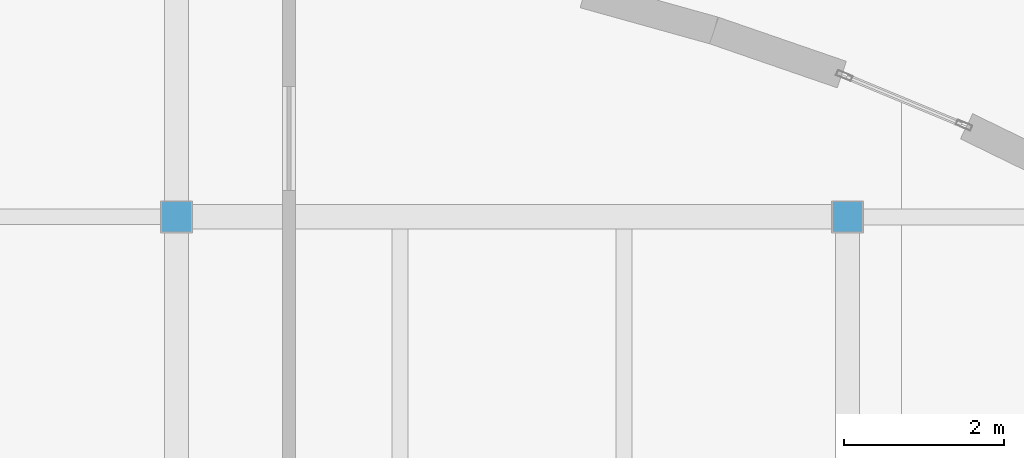
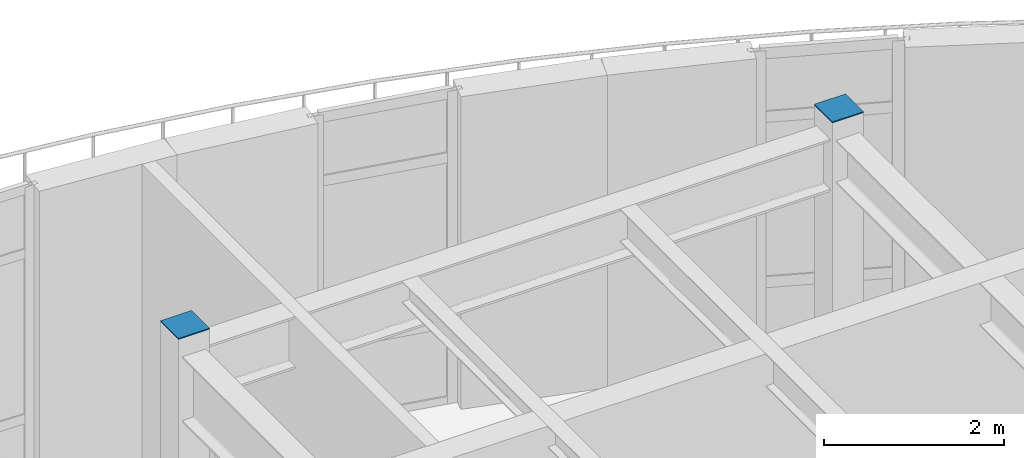
# One storey, part 24 of 26: 2 discrete accessories.
"""IFC4 building model written with IfcOpenShell, lengths in metres."""

from ifc_helpers import new_model, si_unit, direction, frame, origin, origin_2d, place, context, subcontext, project, spatial, rectangle, extrude, material, type_object, element, save


model = new_model("IFC4")

# Units and contexts
model_context = context("Model", 3, precision=1e-05, world=origin(), true_north=direction((0.0, 1.0)))
body_context = subcontext(model_context, "Body", "Model", "MODEL_VIEW")
ifc_project = project(units=[si_unit("LENGTHUNIT", "METRE"), si_unit("AREAUNIT", "SQUARE_METRE"), si_unit("VOLUMEUNIT", "CUBIC_METRE"), si_unit("PLANEANGLEUNIT", "RADIAN"), si_unit("MASSUNIT", "GRAM", prefix="KILO"), si_unit("THERMODYNAMICTEMPERATUREUNIT", "KELVIN")], contexts=[model_context])

# Site, building, storey
site_placement = place(None, origin())
site = spatial("IfcSite", under=ifc_project, at=site_placement, CompositionType="ELEMENT")
building_placement = place(site_placement, origin())
building = spatial("IfcBuilding", under=site, at=building_placement, Name="Lustrewick Department Store", CompositionType="ELEMENT")
storey_placement = place(building_placement, frame((0.0, 0.0, 36.300048828125)))
storey = spatial("IfcBuildingStorey", under=building, at=storey_placement, Name="L08", CompositionType="ELEMENT", Elevation=36.300048828125)

# Discrete accessories
ifc_material = material(Name="Structural steel Q355C", Category="steel")
discrete_accessory_type = type_object("IfcDiscreteAccessoryType", Name="ECP-01", PredefinedType="USERDEFINED", material=ifc_material)
for number, where, z_axis, x_axis, name in (
    (1, (117.60009765625, 84.0, 4.493896484375), (0.0, 0.0, 1.0), (1.0, 0.0, 0.0), "L08 Welded Hollow-Section End-Cap Plate ECP-01"),
    (2, (126.0, 84.0, 4.493896484375), (0.0, 0.0, 1.0), (1.0, 0.0, 0.0), "L08 Welded Hollow-Section End-Cap Plate ECP-01"),
):
    element("IfcDiscreteAccessory", number, at=place(storey_placement, frame(where, z_axis=z_axis, x_axis=x_axis)), inside=storey, type_object=discrete_accessory_type, Name=name, ObjectType="END_CAP_PLATE", PredefinedType="USERDEFINED", context=body_context, shape_type="SweptSolid", body=[
        extrude(rectangle(XDim=0.39990234375, YDim=0.39990234375, at=origin_2d()), origin(), (0.0, 0.0, 1.0), 0.01611328125),
    ])

save(model, "model.ifc")
